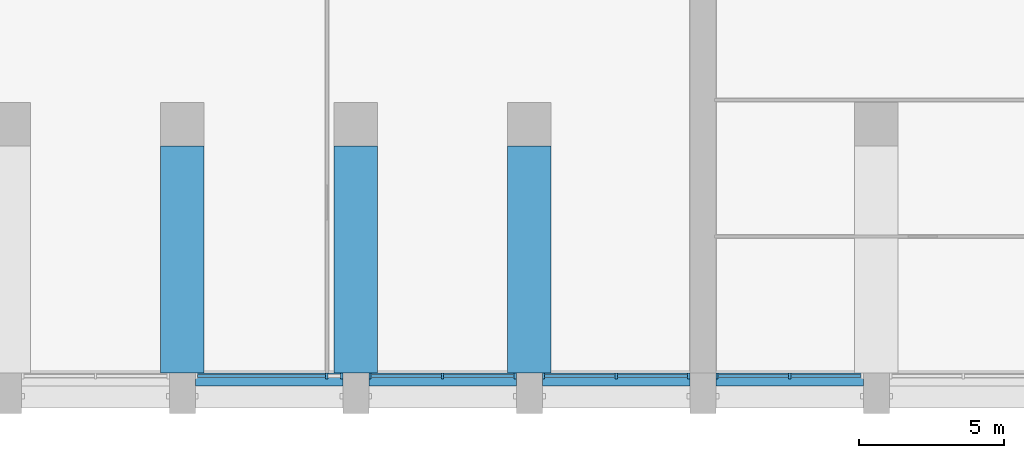
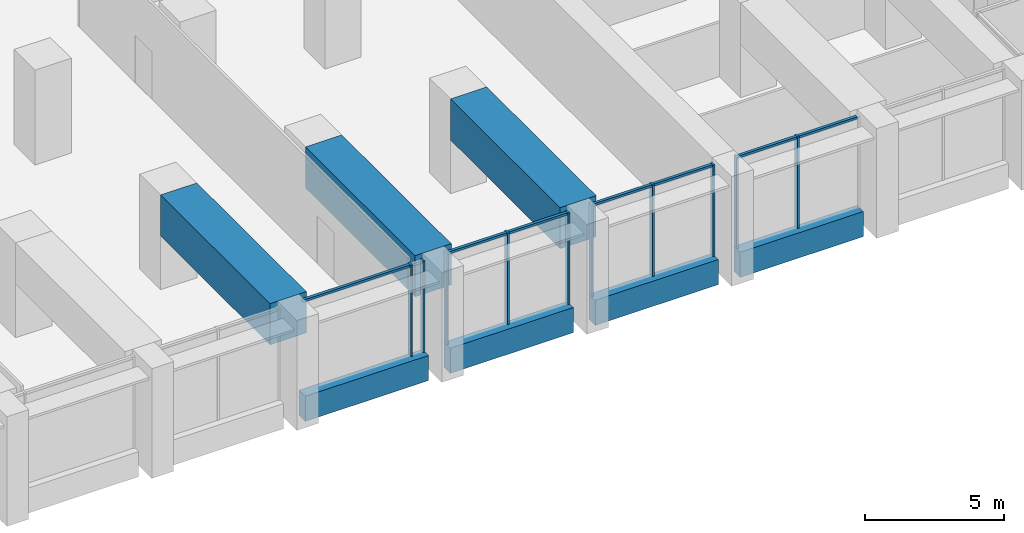
# One storey, part 3 of 18: 17 members, 7 beams, 4 elements without a shape of their own.
"""IFC4 building model written with IfcOpenShell, lengths in metres."""

from ifc_helpers import new_model, si_unit, direction, frame, origin, origin_2d, place, context, subcontext, project, spatial, rectangle, extrude, material, material_profile, profile_set, type_object, element, aggregate, save


model = new_model("IFC4")

# Units and contexts
model_context = context("Model", 3, precision=1e-05, world=origin(), true_north=direction((0.0, 1.0)))
body_context = subcontext(model_context, "Body", "Model", "MODEL_VIEW")
ifc_project = project(units=[si_unit("LENGTHUNIT", "METRE"), si_unit("AREAUNIT", "SQUARE_METRE"), si_unit("VOLUMEUNIT", "CUBIC_METRE"), si_unit("PLANEANGLEUNIT", "RADIAN"), si_unit("MASSUNIT", "GRAM", prefix="KILO")], contexts=[model_context])

# Site, building, storey
site_placement = place(None, origin())
site = spatial("IfcSite", under=ifc_project, at=site_placement, CompositionType="ELEMENT")
building_placement = place(site_placement, origin())
building = spatial("IfcBuilding", under=site, at=building_placement, Name="Calvaro Tower", CompositionType="ELEMENT")
storey_placement = place(building_placement, frame((0.0, 0.0, 90.0)))
storey = spatial("IfcBuildingStorey", under=building, at=storey_placement, Name="L22", CompositionType="ELEMENT", Elevation=90.0)

# Curtain wall, members
ifc_material_1 = material(Name="Anodised aluminium", Category="aluminium")
curtain_wall_type = type_object("IfcCurtainWallType", Name="Louvre wall", PredefinedType="NOTDEFINED", material=ifc_material_1)
curtain_wall_1_placement = place(storey_placement, origin())
curtain_wall_1 = element("IfcCurtainWall", 1, at=curtain_wall_1_placement, inside=storey, type_object=curtain_wall_type, Name="CW8 south louvre wall", PredefinedType="NOTDEFINED")
ifc_material_2 = material(Name="Anodised aluminium", Category="aluminium")
ifc_material_profile_1 = material_profile(ifc_material_2, rectangle(XDim=0.199951171875, YDim=0.080078125, at=origin_2d()), Name="Mullion LV 80 x 200")
ifc_profile_set_1 = profile_set([ifc_material_profile_1], Name="Anodised aluminium")
member_type_1 = type_object("IfcMemberType", Name="Mullion LV 80 x 200", PredefinedType="MULLION", material=ifc_profile_set_1)
member_1_placement = place(storey_placement, frame((47.0, 1.300048828125, 0.0), z_axis=(0.0, 0.0, 1.0), x_axis=(0.0, 1.0, 0.0)))
member_1 = element("IfcMember", 2, at=member_1_placement, type_object=member_type_1, Name="CW8 mullion 2", PredefinedType="MULLION", context=body_context, shape_type="SweptSolid", body=[
    extrude(rectangle(XDim=0.199951171875, YDim=0.080078125, at=origin_2d()), origin(), (0.0, 0.0, 1.0), 4.0),
])
member_2_placement = place(storey_placement, frame((47.510009765625, 1.300048828125, 0.0), z_axis=(0.0, 0.0, 1.0), x_axis=(0.0, 1.0, 0.0)))
member_2 = element("IfcMember", 3, at=member_2_placement, type_object=member_type_1, Name="CW8 mullion 3", PredefinedType="MULLION", context=body_context, shape_type="SweptSolid", body=[
    extrude(rectangle(XDim=0.199951171875, YDim=0.080078125, at=origin_2d()), origin(), (0.0, 0.0, 1.0), 4.0),
])

curtain_wall_2_placement = place(storey_placement, origin())
curtain_wall_2 = element("IfcCurtainWall", 4, at=curtain_wall_2_placement, inside=storey, type_object=curtain_wall_type, Name="CW8 south louvre wall", PredefinedType="NOTDEFINED")
member_3_placement = place(storey_placement, frame((48.489990234375, 1.300048828125, 0.0), z_axis=(0.0, 0.0, 1.0), x_axis=(0.0, 1.0, 0.0)))
member_3 = element("IfcMember", 5, at=member_3_placement, type_object=member_type_1, Name="CW8 mullion 1", PredefinedType="MULLION", context=body_context, shape_type="SweptSolid", body=[
    extrude(rectangle(XDim=0.199951171875, YDim=0.080078125, at=origin_2d()), origin(), (0.0, 0.0, 1.0), 4.0),
])
member_4_placement = place(storey_placement, frame((51.0, 1.300048828125, 0.0), z_axis=(0.0, 0.0, 1.0), x_axis=(0.0, 1.0, 0.0)))
member_4 = element("IfcMember", 6, at=member_4_placement, type_object=member_type_1, Name="CW8 mullion 2", PredefinedType="MULLION", context=body_context, shape_type="SweptSolid", body=[
    extrude(rectangle(XDim=0.199951171875, YDim=0.080078125, at=origin_2d()), origin(), (0.0, 0.0, 1.0), 4.0),
])
member_5_placement = place(storey_placement, frame((53.510009765625, 1.300048828125, 0.0), z_axis=(0.0, 0.0, 1.0), x_axis=(0.0, 1.0, 0.0)))
member_5 = element("IfcMember", 7, at=member_5_placement, type_object=member_type_1, Name="CW8 mullion 3", PredefinedType="MULLION", context=body_context, shape_type="SweptSolid", body=[
    extrude(rectangle(XDim=0.199951171875, YDim=0.080078125, at=origin_2d()), origin(), (0.0, 0.0, 1.0), 4.0),
])

curtain_wall_3_placement = place(storey_placement, origin())
curtain_wall_3 = element("IfcCurtainWall", 8, at=curtain_wall_3_placement, inside=storey, type_object=curtain_wall_type, Name="CW8 south louvre wall", PredefinedType="NOTDEFINED")
member_6_placement = place(storey_placement, frame((54.489990234375, 1.300048828125, 0.0), z_axis=(0.0, 0.0, 1.0), x_axis=(0.0, 1.0, 0.0)))
member_6 = element("IfcMember", 9, at=member_6_placement, type_object=member_type_1, Name="CW8 mullion 1", PredefinedType="MULLION", context=body_context, shape_type="SweptSolid", body=[
    extrude(rectangle(XDim=0.199951171875, YDim=0.080078125, at=origin_2d()), origin(), (0.0, 0.0, 1.0), 4.0),
])
member_7_placement = place(storey_placement, frame((57.0, 1.300048828125, 0.0), z_axis=(0.0, 0.0, 1.0), x_axis=(0.0, 1.0, 0.0)))
member_7 = element("IfcMember", 10, at=member_7_placement, type_object=member_type_1, Name="CW8 mullion 2", PredefinedType="MULLION", context=body_context, shape_type="SweptSolid", body=[
    extrude(rectangle(XDim=0.199951171875, YDim=0.080078125, at=origin_2d()), origin(), (0.0, 0.0, 1.0), 4.0),
])
member_8_placement = place(storey_placement, frame((59.510009765625, 1.300048828125, 0.0), z_axis=(0.0, 0.0, 1.0), x_axis=(0.0, 1.0, 0.0)))
member_8 = element("IfcMember", 11, at=member_8_placement, type_object=member_type_1, Name="CW8 mullion 3", PredefinedType="MULLION", context=body_context, shape_type="SweptSolid", body=[
    extrude(rectangle(XDim=0.199951171875, YDim=0.080078125, at=origin_2d()), origin(), (0.0, 0.0, 1.0), 4.0),
])

curtain_wall_4_placement = place(storey_placement, origin())
curtain_wall_4 = element("IfcCurtainWall", 12, at=curtain_wall_4_placement, inside=storey, type_object=curtain_wall_type, Name="CW8 south louvre wall", PredefinedType="NOTDEFINED")
member_9_placement = place(storey_placement, frame((60.489990234375, 1.300048828125, 0.0), z_axis=(0.0, 0.0, 1.0), x_axis=(0.0, 1.0, 0.0)))
member_9 = element("IfcMember", 13, at=member_9_placement, type_object=member_type_1, Name="CW8 mullion 1", PredefinedType="MULLION", context=body_context, shape_type="SweptSolid", body=[
    extrude(rectangle(XDim=0.199951171875, YDim=0.080078125, at=origin_2d()), origin(), (0.0, 0.0, 1.0), 4.0),
])
member_10_placement = place(storey_placement, frame((63.0, 1.300048828125, 0.0), z_axis=(0.0, 0.0, 1.0), x_axis=(0.0, 1.0, 0.0)))
member_10 = element("IfcMember", 14, at=member_10_placement, type_object=member_type_1, Name="CW8 mullion 2", PredefinedType="MULLION", context=body_context, shape_type="SweptSolid", body=[
    extrude(rectangle(XDim=0.199951171875, YDim=0.080078125, at=origin_2d()), origin(), (0.0, 0.0, 1.0), 4.0),
])

# Beams
ifc_material_3 = material(Name="Concrete C50/60 precast", Category="concrete")
ifc_material_profile_2 = material_profile(ifc_material_3, rectangle(XDim=0.449951171875, YDim=1.10009765625, at=origin_2d()), Name="RC 450x1100")
ifc_profile_set_2 = profile_set([ifc_material_profile_2], Name="Concrete C50/60 precast")
beam_type_1 = type_object("IfcBeamType", Name="Spandrel beam 450x1100 C50/60", PredefinedType="SPANDREL", material=ifc_profile_set_2)
for number, where, z_axis, x_axis, name in (
    (15, (42.449951171875, 1.175048828125, -0.550048828125), (1.0, 0.0, 0.0), (0.0, 1.0, 0.0), "Spandrel beam"),
    (16, (48.449951171875, 1.175048828125, -0.550048828125), (1.0, 0.0, 0.0), (0.0, 1.0, 0.0), "Spandrel beam"),
    (17, (54.449951171875, 1.175048828125, -0.550048828125), (1.0, 0.0, 0.0), (0.0, 1.0, 0.0), "Spandrel beam"),
    (18, (60.449951171875, 1.175048828125, -0.550048828125), (1.0, 0.0, 0.0), (0.0, 1.0, 0.0), "Spandrel beam"),
):
    element("IfcBeam", number, at=place(storey_placement, frame(where, z_axis=z_axis, x_axis=x_axis)), inside=storey, type_object=beam_type_1, Name=name, PredefinedType="SPANDREL", context=body_context, shape_type="SweptSolid", body=[
        extrude(rectangle(XDim=0.449951171875, YDim=1.10009765625, at=origin_2d()), origin(), (0.0, 0.0, 1.0), 5.10009765625),
    ])
ifc_material_4 = material(Name="Concrete C60/75", Category="concrete")
ifc_material_profile_3 = material_profile(ifc_material_4, rectangle(XDim=1.5, YDim=1.800048828125, at=origin_2d()), Name="RC 1500x1800")
ifc_profile_set_3 = profile_set([ifc_material_profile_3], Name="Concrete C60/75")
beam_type_2 = type_object("IfcBeamType", Name="Transfer girder 1500x1800 C60/75", PredefinedType="BEAM", material=ifc_profile_set_3)
for number, where, z_axis, x_axis, name in (
    (19, (42.0, 1.39990234375, 3.300048828125), (0.0, 1.0, 0.0), (-1.0, 0.0, 0.0), "Transfer girder"),
    (20, (48.0, 1.39990234375, 3.300048828125), (0.0, 1.0, 0.0), (-1.0, 0.0, 0.0), "Transfer girder"),
    (21, (54.0, 1.39990234375, 3.300048828125), (0.0, 1.0, 0.0), (-1.0, 0.0, 0.0), "Transfer girder"),
):
    element("IfcBeam", number, at=place(storey_placement, frame(where, z_axis=z_axis, x_axis=x_axis)), inside=storey, type_object=beam_type_2, Name=name, PredefinedType="BEAM", context=body_context, shape_type="SweptSolid", body=[
        extrude(rectangle(XDim=1.5, YDim=1.800048828125, at=origin_2d()), origin(), (0.0, 0.0, 1.0), 7.85009765625),
    ])

# Member
ifc_material_5 = material(Name="Anodised aluminium", Category="aluminium")
ifc_material_profile_4 = material_profile(ifc_material_5, rectangle(XDim=0.1201171875, YDim=0.10009765625, at=origin_2d()), Name="Transom LV 100 x 120")
ifc_profile_set_4 = profile_set([ifc_material_profile_4], Name="Anodised aluminium")
member_type_2 = type_object("IfcMemberType", Name="Transom LV 100 x 120", PredefinedType="USERDEFINED", material=ifc_profile_set_4)
member_11_placement = place(storey_placement, frame((42.530029296875, 1.300048828125, 3.949951171875), z_axis=(1.0, 0.0, 0.0), x_axis=(0.0, 1.0, 0.0)))
member_11 = element("IfcMember", 22, at=member_11_placement, type_object=member_type_2, Name="CW8 transom 1.1", ObjectType="TRANSOM", PredefinedType="USERDEFINED", context=body_context, shape_type="SweptSolid", body=[
    extrude(rectangle(XDim=0.1201171875, YDim=0.10009765625, at=origin_2d()), origin(), (0.0, 0.0, 1.0), 4.429931640625),
])

aggregate(curtain_wall_1, [member_1, member_2, member_11])

member_12_placement = place(storey_placement, frame((48.530029296875, 1.300048828125, 3.949951171875), z_axis=(1.0, 0.0, 0.0), x_axis=(0.0, 1.0, 0.0)))
member_12 = element("IfcMember", 23, at=member_12_placement, type_object=member_type_2, Name="CW8 transom 1.1", ObjectType="TRANSOM", PredefinedType="USERDEFINED", context=body_context, shape_type="SweptSolid", body=[
    extrude(rectangle(XDim=0.1201171875, YDim=0.10009765625, at=origin_2d()), origin(), (0.0, 0.0, 1.0), 2.429931640625),
])

member_13_placement = place(storey_placement, frame((51.0400390625, 1.300048828125, 3.949951171875), z_axis=(1.0, 0.0, 0.0), x_axis=(0.0, 1.0, 0.0)))
member_13 = element("IfcMember", 24, at=member_13_placement, type_object=member_type_2, Name="CW8 transom 2.1", ObjectType="TRANSOM", PredefinedType="USERDEFINED", context=body_context, shape_type="SweptSolid", body=[
    extrude(rectangle(XDim=0.1201171875, YDim=0.10009765625, at=origin_2d()), origin(), (0.0, 0.0, 1.0), 2.429931640625),
])

aggregate(curtain_wall_2, [member_3, member_4, member_5, member_12, member_13])

member_14_placement = place(storey_placement, frame((54.530029296875, 1.300048828125, 3.949951171875), z_axis=(1.0, 0.0, 0.0), x_axis=(0.0, 1.0, 0.0)))
member_14 = element("IfcMember", 25, at=member_14_placement, type_object=member_type_2, Name="CW8 transom 1.1", ObjectType="TRANSOM", PredefinedType="USERDEFINED", context=body_context, shape_type="SweptSolid", body=[
    extrude(rectangle(XDim=0.1201171875, YDim=0.10009765625, at=origin_2d()), origin(), (0.0, 0.0, 1.0), 2.429931640625),
])

member_15_placement = place(storey_placement, frame((57.0400390625, 1.300048828125, 3.949951171875), z_axis=(1.0, 0.0, 0.0), x_axis=(0.0, 1.0, 0.0)))
member_15 = element("IfcMember", 26, at=member_15_placement, type_object=member_type_2, Name="CW8 transom 2.1", ObjectType="TRANSOM", PredefinedType="USERDEFINED", context=body_context, shape_type="SweptSolid", body=[
    extrude(rectangle(XDim=0.1201171875, YDim=0.10009765625, at=origin_2d()), origin(), (0.0, 0.0, 1.0), 2.429931640625),
])

aggregate(curtain_wall_3, [member_6, member_7, member_8, member_14, member_15])

member_16_placement = place(storey_placement, frame((60.530029296875, 1.300048828125, 3.949951171875), z_axis=(1.0, 0.0, 0.0), x_axis=(0.0, 1.0, 0.0)))
member_16 = element("IfcMember", 27, at=member_16_placement, type_object=member_type_2, Name="CW8 transom 1.1", ObjectType="TRANSOM", PredefinedType="USERDEFINED", context=body_context, shape_type="SweptSolid", body=[
    extrude(rectangle(XDim=0.1201171875, YDim=0.10009765625, at=origin_2d()), origin(), (0.0, 0.0, 1.0), 2.429931640625),
])

member_17_placement = place(storey_placement, frame((63.0400390625, 1.300048828125, 3.949951171875), z_axis=(1.0, 0.0, 0.0), x_axis=(0.0, 1.0, 0.0)))
member_17 = element("IfcMember", 28, at=member_17_placement, type_object=member_type_2, Name="CW8 transom 2.1", ObjectType="TRANSOM", PredefinedType="USERDEFINED", context=body_context, shape_type="SweptSolid", body=[
    extrude(rectangle(XDim=0.1201171875, YDim=0.10009765625, at=origin_2d()), origin(), (0.0, 0.0, 1.0), 2.429931640625),
])

aggregate(curtain_wall_4, [member_9, member_10, member_16, member_17])

save(model, "model.ifc")
